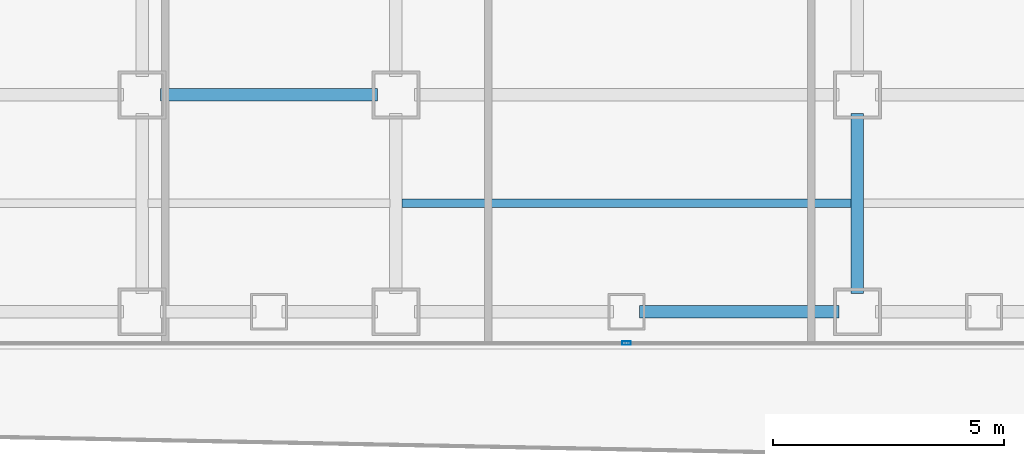
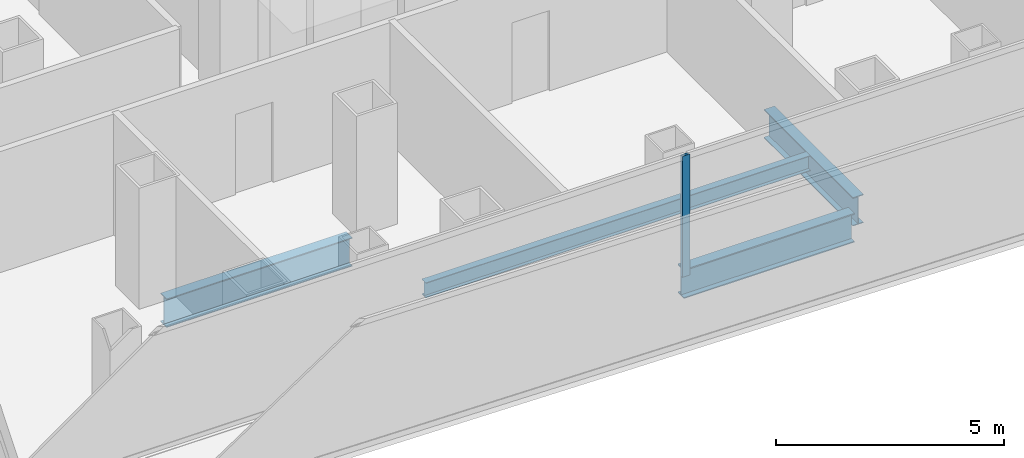
# One storey, part 4 of 22: 4 beams, 1 member, 1 element without a shape of its own.
"""IFC4 building model written with IfcOpenShell, lengths in metres."""

from ifc_helpers import new_model, si_unit, direction, frame, origin, origin_2d, place, context, subcontext, project, spatial, hollow_rectangle, i_section, extrude, source, transform, mapped, material, layer, layer_set, material_profile, profile_set, type_object, element, aggregate, save


model = new_model("IFC4")

# Units and contexts
model_context = context("Model", 3, precision=1e-05, world=origin(), true_north=direction((0.0, 1.0)))
body_context = subcontext(model_context, "Body", "Model", "MODEL_VIEW")
ifc_project = project(units=[si_unit("LENGTHUNIT", "METRE"), si_unit("AREAUNIT", "SQUARE_METRE"), si_unit("VOLUMEUNIT", "CUBIC_METRE"), si_unit("PLANEANGLEUNIT", "RADIAN"), si_unit("MASSUNIT", "GRAM", prefix="KILO")], contexts=[model_context])

# Site, building, storey
site_placement = place(None, origin())
site = spatial("IfcSite", under=ifc_project, at=site_placement, CompositionType="ELEMENT")
building_placement = place(site_placement, origin())
building = spatial("IfcBuilding", under=site, at=building_placement, Name="Kolveth Station Tower", CompositionType="ELEMENT")
storey_placement = place(building_placement, frame((0.0, 0.0, 84.60009765625)))
storey = spatial("IfcBuildingStorey", under=building, at=storey_placement, Name="L22", CompositionType="ELEMENT", Elevation=84.60009765625)

# Beams
ifc_material_1 = material(Name="Steel S355", Category="steel")
ifc_material_profile_1 = material_profile(ifc_material_1, i_section(OverallWidth=0.26904296875, OverallDepth=0.77490234375, WebThickness=0.01708984375, FlangeThickness=0.0283203125, at=origin_2d()), Name="W760x220")
ifc_profile_set_1 = profile_set([ifc_material_profile_1], Name="Steel S355")
beam_type_1 = type_object("IfcBeamType", Name="Beam_SP1", PredefinedType="SPANDREL", material=ifc_profile_set_1)
shared_shape_1 = source(origin(), body_context, "Body", "SweptSolid", [
    extrude(i_section(OverallWidth=0.26904296875, OverallDepth=0.77490234375, WebThickness=0.01708984375, FlangeThickness=0.0283203125, at=origin_2d()), origin(), (0.0, 0.0, 1.0), 4.320068359375),
])
beam_1_placement = place(storey_placement, frame((23.780029296875, 0.800048828125, -0.66748046875), z_axis=(1.0, 0.0, 0.0), x_axis=(0.0, 1.0, 0.0)))
element("IfcBeam", 1, at=beam_1_placement, inside=storey, type_object=beam_type_1, Name="L22 Perimeter Spandrel BM-L22-PS-6", PredefinedType="SPANDREL", context=body_context, shape_type="MappedRepresentation", body=[
    mapped(shared_shape_1, transform((0.0, 0.0, 0.0), x_axis=(1.0, 0.0, 0.0), y_axis=(0.0, 1.0, 0.0), z_axis=(0.0, 0.0, 1.0), scale=1.0)),
])
ifc_material_profile_2 = material_profile(ifc_material_1, i_section(OverallWidth=0.26708984375, OverallDepth=0.76611328125, WebThickness=0.014892578125, FlangeThickness=0.023681640625, at=origin_2d()), Name="W760x185")
ifc_profile_set_2 = profile_set([ifc_material_profile_2], Name="Steel S355")
beam_type_2 = type_object("IfcBeamType", Name="Beam_B3", PredefinedType="BEAM", material=ifc_profile_set_2)
shared_shape_2 = source(origin(), body_context, "Body", "SweptSolid", [
    extrude(i_section(OverallWidth=0.26708984375, OverallDepth=0.76611328125, WebThickness=0.014892578125, FlangeThickness=0.023681640625, at=origin_2d()), origin(), (0.0, 0.0, 1.0), 4.7001953125),
])
beam_2_placement = place(storey_placement, frame((13.39990234375, 5.5, -0.6630859375), z_axis=(1.0, 0.0, 0.0), x_axis=(0.0, 1.0, 0.0)))
element("IfcBeam", 2, at=beam_2_placement, inside=storey, type_object=beam_type_2, Name="L22 Primary Girder BM-L22-GY55-3", PredefinedType="BEAM", context=body_context, shape_type="MappedRepresentation", body=[
    mapped(shared_shape_2, transform((0.0, 0.0, 0.0), x_axis=(1.0, 0.0, 0.0), y_axis=(0.0, 1.0, 0.0), z_axis=(0.0, 0.0, 1.0), scale=1.0)),
])
shared_shape_3 = source(origin(), body_context, "Body", "SweptSolid", [
    extrude(i_section(OverallWidth=0.26708984375, OverallDepth=0.76611328125, WebThickness=0.014892578125, FlangeThickness=0.023681640625, at=origin_2d()), origin(), (0.0, 0.0, 1.0), 3.900146484375),
])
beam_3_placement = place(storey_placement, frame((28.5, 1.199951171875, -0.6630859375), z_axis=(0.0, 1.0, 0.0), x_axis=(-1.0, 0.0, 0.0)))
element("IfcBeam", 3, at=beam_3_placement, inside=storey, type_object=beam_type_2, Name="L22 Primary Girder BM-L22-GX285-1", PredefinedType="BEAM", context=body_context, shape_type="MappedRepresentation", body=[
    mapped(shared_shape_3, transform((0.0, 0.0, 0.0), x_axis=(1.0, 0.0, 0.0), y_axis=(0.0, 1.0, 0.0), z_axis=(0.0, 0.0, 1.0), scale=1.0)),
])
ifc_material_profile_3 = material_profile(ifc_material_1, i_section(OverallWidth=0.177978515625, OverallDepth=0.406982421875, WebThickness=0.0078125, FlangeThickness=0.0126953125, at=origin_2d()), Name="W410x60")
ifc_profile_set_3 = profile_set([ifc_material_profile_3], Name="Steel S355")
beam_type_3 = type_object("IfcBeamType", Name="Beam_J1", PredefinedType="JOIST", material=ifc_profile_set_3)
shared_shape_4 = source(origin(), body_context, "Body", "SweptSolid", [
    extrude(i_section(OverallWidth=0.177978515625, OverallDepth=0.406982421875, WebThickness=0.0078125, FlangeThickness=0.0126953125, at=origin_2d()), origin(), (0.0, 0.0, 1.0), 9.73681640625),
])
beam_4_placement = place(storey_placement, frame((18.631591796875, 3.14990234375, -0.483642578125), z_axis=(1.0, 0.0, 0.0), x_axis=(0.0, 1.0, 0.0)))
element("IfcBeam", 4, at=beam_4_placement, inside=storey, type_object=beam_type_3, Name="L22 Secondary Joist JST-L22-4-1", PredefinedType="JOIST", context=body_context, shape_type="MappedRepresentation", body=[
    mapped(shared_shape_4, transform((0.0, 0.0, 0.0), x_axis=(1.0, 0.0, 0.0), y_axis=(0.0, 1.0, 0.0), z_axis=(0.0, 0.0, 1.0), scale=1.0)),
])

# Curtain wall, member
ifc_material_2 = material(Name="Aluminium 6063-T6 and low-E dark glass", Category="aluminium")
ifc_layer = layer(ifc_material_2, 0.179931640625)
ifc_layer_set = layer_set([ifc_layer], Name="Aluminium 6063-T6 and low-E dark glass")
curtain_wall_type = type_object("IfcCurtainWallType", Name="CurtainWall_CW-Z1", PredefinedType="NOTDEFINED", material=ifc_layer_set)
curtain_wall_placement = place(storey_placement, origin())
curtain_wall = element("IfcCurtainWall", 5, at=curtain_wall_placement, inside=storey, type_object=curtain_wall_type, Name="L22 Inner Thermal Curtain Wall 12", PredefinedType="NOTDEFINED")
ifc_material_3 = material(Name="Black anodized aluminium 6063-T6", Category="aluminium")
ifc_material_profile_4 = material_profile(ifc_material_3, hollow_rectangle(XDim=0.074951171875, YDim=0.18994140625, WallThickness=0.0048828125, at=origin_2d()), Name="ALU-75x190x5")
ifc_profile_set_4 = profile_set([ifc_material_profile_4], Name="Black anodized aluminium 6063-T6")
member_type = type_object("IfcMemberType", Name="Mullion_ML1", PredefinedType="MULLION", material=ifc_profile_set_4)
shared_shape_5 = source(origin(), body_context, "Body", "SweptSolid", [
    extrude(hollow_rectangle(XDim=0.074951171875, YDim=0.18994140625, WallThickness=0.0048828125, at=origin_2d()), origin(), (0.0, 0.0, 1.0), 3.239990234375),
])
member_placement = place(storey_placement, frame((23.5, 0.1201171875, 0.0), z_axis=(0.0, 0.0, 1.0), x_axis=(0.0, 1.0, 0.0)))
member = element("IfcMember", 6, at=member_placement, type_object=member_type, Name="CW-Z1 mullion 2", PredefinedType="MULLION", context=body_context, shape_type="MappedRepresentation", body=[
    mapped(shared_shape_5, transform((0.0, 0.0, 0.0), x_axis=(1.0, 0.0, 0.0), y_axis=(0.0, 1.0, 0.0), z_axis=(0.0, 0.0, 1.0), scale=1.0)),
])
aggregate(curtain_wall, [member])

save(model, "model.ifc")
